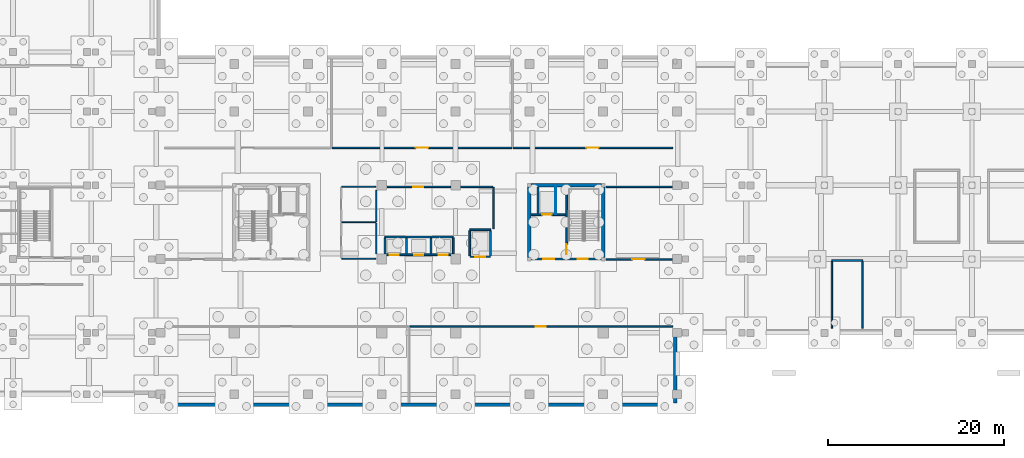
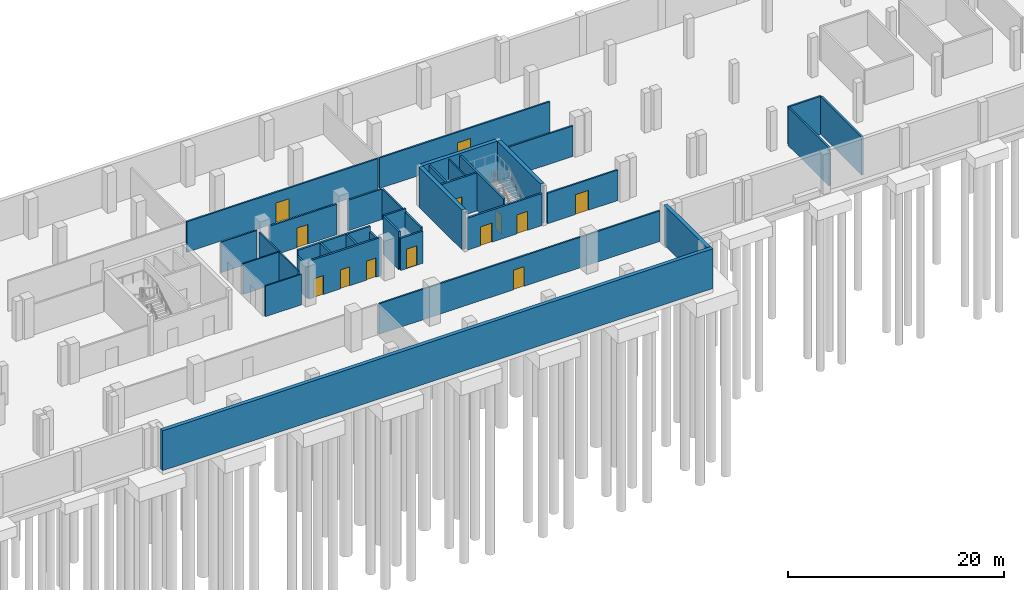
# One storey, part 12 of 17: 36 walls, 13 doors, 13 openings.
"""IFC4 building model written with IfcOpenShell, lengths in metres."""

from ifc_helpers import new_model, si_unit, direction, frame, frame_2d, origin, place, context, subcontext, project, spatial, rectangle, extrude, material, layer, layer_set, type_object, element, fill, save


model = new_model("IFC4")

# Units and contexts
model_context = context("Model", 3, precision=1e-05, world=origin(), true_north=direction((0.0, 1.0)))
body_context = subcontext(model_context, "Body", "Model", "MODEL_VIEW")
ifc_project = project(units=[si_unit("LENGTHUNIT", "METRE"), si_unit("AREAUNIT", "SQUARE_METRE"), si_unit("VOLUMEUNIT", "CUBIC_METRE"), si_unit("PLANEANGLEUNIT", "RADIAN"), si_unit("MASSUNIT", "GRAM", prefix="KILO")], contexts=[model_context])

# Site, building, storey
site_placement = place(None, origin())
site = spatial("IfcSite", under=ifc_project, at=site_placement, CompositionType="ELEMENT")
building_placement = place(site_placement, origin())
building = spatial("IfcBuilding", under=site, at=building_placement, Name="Telukmera Botanical Conservatory", CompositionType="ELEMENT")
storey_placement = place(building_placement, frame((0.0, 0.0, -4.5)))
storey = spatial("IfcBuildingStorey", under=building, at=storey_placement, Name="B1", CompositionType="ELEMENT", Elevation=-4.5)

# Wall, openings, doors
ifc_material_1 = material(Name="Concrete C40/50", Category="concrete")
ifc_layer_1 = layer(ifc_material_1, 0.199951171875)
ifc_layer_set_1 = layer_set([ifc_layer_1], Name="Concrete C40/50")
wall_type_1 = type_object("IfcWallType", Name="WT-CORE-200", PredefinedType="SOLIDWALL", material=ifc_layer_set_1)
wall_1_placement = place(storey_placement, frame((92.60009765625, 26.0, 0.0), z_axis=(0.0, 0.0, 1.0), x_axis=(1.0, 0.0, 0.0)))
wall_1 = element("IfcWall", 1, at=wall_1_placement, inside=storey, type_object=wall_type_1, Name="B1 Core C2 South Fire Wall", PredefinedType="SOLIDWALL", context=body_context, shape_type="SweptSolid", body=[
    extrude(rectangle(XDim=8.0, YDim=0.199951171875, at=frame_2d((4.0, 0.0))), origin(), (0.0, 0.0, 1.0), 3.6298828125),
])
opening_1_placement = place(wall_1_placement, frame((1.39990234375, 0.0, 0.0)))
opening_1 = element("IfcOpeningElement", 2, at=opening_1_placement, cuts=wall_1, Name="Opening FD60C", PredefinedType="OPENING", context=body_context, shape_type="SweptSolid", body=[
    extrude(rectangle(XDim=1.219970703125, YDim=2.14990234375, at=frame_2d((0.60986328125, 1.074951171875))), frame((0.0, 0.10986328125, 0.0), z_axis=(0.0, -1.0, 0.0), x_axis=(1.0, 0.0, 0.0)), (0.0, 0.0, 1.0), 0.219970703125),
])
opening_2_placement = place(wall_1_placement, frame((5.300048828125, 0.0, 0.0)))
opening_2 = element("IfcOpeningElement", 3, at=opening_2_placement, cuts=wall_1, Name="Opening FD60A", PredefinedType="OPENING", context=body_context, shape_type="SweptSolid", body=[
    extrude(rectangle(XDim=1.14990234375, YDim=2.14990234375, at=frame_2d((0.574951171875, 1.074951171875))), frame((0.0, 0.10986328125, 0.0), z_axis=(0.0, -1.0, 0.0), x_axis=(1.0, 0.0, 0.0)), (0.0, 0.0, 1.0), 0.219970703125),
])
ifc_material_2 = material(Name="Hardwood fire door", Category="wood")
door_type_1 = type_object("IfcDoorType", Name="DT-FD60-01", OperationType="NOTDEFINED", PredefinedType="DOOR", material=ifc_material_2)
door_1_placement = place(opening_2_placement, origin())
door_1 = element("IfcDoor", 4, at=door_1_placement, inside=storey, type_object=door_type_1, Name="B1 Stair ST2 Escape Door", OperationType="SINGLE_SWING_LEFT", OverallHeight=2.14990234375, OverallWidth=1.14990234375, PredefinedType="DOOR", context=body_context, shape_type="SweptSolid", body=[
    extrude(rectangle(XDim=1.14990234375, YDim=2.14990234375, at=frame_2d((0.574951171875, 1.074951171875))), frame((0.0, 0.02490234375, 0.0), z_axis=(0.0, -1.0, 0.0), x_axis=(1.0, 0.0, 0.0)), (0.0, 0.0, 1.0), 0.050048828125),
])
fill(opening_2, door_1)
door_type_2 = type_object("IfcDoorType", Name="DT-FD60-03", OperationType="NOTDEFINED", PredefinedType="DOOR", material=ifc_material_2)
door_2_placement = place(opening_1_placement, origin())
door_2 = element("IfcDoor", 5, at=door_2_placement, inside=storey, type_object=door_type_2, Name="B1 Firefighting Lobby C2 Door", OperationType="SINGLE_SWING_RIGHT", OverallHeight=2.14990234375, OverallWidth=1.219970703125, PredefinedType="DOOR", context=body_context, shape_type="SweptSolid", body=[
    extrude(rectangle(XDim=1.219970703125, YDim=2.14990234375, at=frame_2d((0.60986328125, 1.074951171875))), frame((0.0, 0.02490234375, 0.0), z_axis=(0.0, -1.0, 0.0), x_axis=(1.0, 0.0, 0.0)), (0.0, 0.0, 1.0), 0.050048828125),
])
fill(opening_1, door_2)

# Wall, opening, door
wall_2_placement = place(storey_placement, frame((96.64990234375, 26.10009765625, 0.0), z_axis=(0.0, 0.0, 1.0), x_axis=(0.0, 1.0, 0.0)))
wall_2 = element("IfcWall", 6, at=wall_2_placement, inside=storey, type_object=wall_type_1, Name="B1 Core C2 Stair-Lobby Wall", PredefinedType="SOLIDWALL", context=body_context, shape_type="SweptSolid", body=[
    extrude(rectangle(XDim=8.099853515625, YDim=0.199951171875, at=frame_2d((4.0498046875, 0.0))), origin(), (0.0, 0.0, 1.0), 4.300048828125),
])
opening_3_placement = place(wall_2_placement, frame((0.449951171875, 0.0, 0.0)))
opening_3 = element("IfcOpeningElement", 7, at=opening_3_placement, cuts=wall_2, Name="Opening FD60B", PredefinedType="OPENING", context=body_context, shape_type="SweptSolid", body=[
    extrude(rectangle(XDim=1.1201171875, YDim=2.14990234375, at=frame_2d((0.56005859375, 1.074951171875))), frame((0.0, 0.10986328125, 0.0), z_axis=(0.0, -1.0, 0.0), x_axis=(1.0, 0.0, 0.0)), (0.0, 0.0, 1.0), 0.219970703125),
])
door_type_3 = type_object("IfcDoorType", Name="DT-FD60-02", OperationType="NOTDEFINED", PredefinedType="DOOR", material=ifc_material_2)
door_3_placement = place(opening_3_placement, frame((1.1201171875, 0.0, 0.0), z_axis=(0.0, 0.0, 1.0), x_axis=(-1.0, 0.0, 0.0)))
door_3 = element("IfcDoor", 8, at=door_3_placement, inside=storey, type_object=door_type_3, Name="B1 Firefighting Lobby C2 to ST2 Door", OperationType="SINGLE_SWING_RIGHT", OverallHeight=2.14990234375, OverallWidth=1.1201171875, PredefinedType="DOOR", context=body_context, shape_type="SweptSolid", body=[
    extrude(rectangle(XDim=1.1201171875, YDim=2.14990234375, at=frame_2d((0.56005859375, 1.074951171875))), frame((0.0, 0.02490234375, 0.0), z_axis=(0.0, -1.0, 0.0), x_axis=(1.0, 0.0, 0.0)), (0.0, 0.0, 1.0), 0.050048828125),
])
fill(opening_3, door_3)

wall_3_placement = place(storey_placement, frame((92.60009765625, 31.050048828125, 0.0), z_axis=(0.0, 0.0, 1.0), x_axis=(1.0, 0.0, 0.0)))
wall_3 = element("IfcWall", 9, at=wall_3_placement, inside=storey, type_object=wall_type_1, Name="B1 Fire Lift FL2 Shaft Front Wall", PredefinedType="SOLIDWALL", context=body_context, shape_type="SweptSolid", body=[
    extrude(rectangle(XDim=3.949951171875, YDim=0.199951171875, at=frame_2d((1.97509765625, 0.0))), origin(), (0.0, 0.0, 1.0), 4.300048828125),
])
opening_4_placement = place(wall_3_placement, frame((1.25, 0.0, 0.0)))
opening_4 = element("IfcOpeningElement", 10, at=opening_4_placement, cuts=wall_3, Name="Opening LD01", PredefinedType="OPENING", context=body_context, shape_type="SweptSolid", body=[
    extrude(rectangle(XDim=1.10009765625, YDim=2.14990234375, at=frame_2d((0.550048828125, 1.074951171875))), frame((0.0, 0.10986328125, 0.0), z_axis=(0.0, -1.0, 0.0), x_axis=(1.0, 0.0, 0.0)), (0.0, 0.0, 1.0), 0.219970703125),
])
ifc_material_3 = material(Name="Stainless steel 316", Category="steel")
door_type_4 = type_object("IfcDoorType", Name="DT-LD01", OperationType="SLIDING_TO_LEFT", PredefinedType="DOOR", material=ifc_material_3)
door_4_placement = place(opening_4_placement, frame((1.10009765625, 0.0, 0.0), z_axis=(0.0, 0.0, 1.0), x_axis=(-1.0, 0.0, 0.0)))
door_4 = element("IfcDoor", 11, at=door_4_placement, inside=storey, type_object=door_type_4, Name="B1 Lift Landing Door FL2", OperationType="SLIDING_TO_LEFT", OverallHeight=2.14990234375, OverallWidth=1.10009765625, PredefinedType="DOOR", context=body_context, shape_type="SweptSolid", body=[
    extrude(rectangle(XDim=1.10009765625, YDim=2.14990234375, at=frame_2d((0.550048828125, 1.074951171875))), frame((0.0, 0.02490234375, 0.0), z_axis=(0.0, -1.0, 0.0), x_axis=(1.0, 0.0, 0.0)), (0.0, 0.0, 1.0), 0.050048828125),
])
fill(opening_4, door_4)

# Wall
wall_4_placement = place(storey_placement, frame((93.3798828125, 31.14990234375, 0.0), z_axis=(0.0, 0.0, 1.0), x_axis=(0.0, 1.0, 0.0)))
element("IfcWall", 12, at=wall_4_placement, inside=storey, type_object=wall_type_1, Name="B1 Fire Lift FL2 Shaft West Wall", PredefinedType="SOLIDWALL", context=body_context, shape_type="SweptSolid", body=[
    extrude(rectangle(XDim=3.050048828125, YDim=0.199951171875, at=frame_2d((1.52490234375, 0.0))), origin(), (0.0, 0.0, 1.0), 4.300048828125),
])

# Wall, openings, doors
wall_5_placement = place(storey_placement, frame((75.949951171875, 26.47998046875, 0.0), z_axis=(0.0, 0.0, 1.0), x_axis=(1.0, 0.0, 0.0)))
wall_5 = element("IfcWall", 13, at=wall_5_placement, inside=storey, type_object=wall_type_1, Name="B1 Passenger Lift Bank Front Wall", PredefinedType="SOLIDWALL", context=body_context, shape_type="SweptSolid", body=[
    extrude(rectangle(XDim=7.77001953125, YDim=0.199951171875, at=frame_2d((3.885009765625, 0.0))), origin(), (0.0, 0.0, 1.0), 4.300048828125),
])
opening_5_placement = place(wall_5_placement, frame((0.550048828125, 0.0, 0.0)))
opening_5 = element("IfcOpeningElement", 14, at=opening_5_placement, cuts=wall_5, Name="Opening LD03", PredefinedType="OPENING", context=body_context, shape_type="SweptSolid", body=[
    extrude(rectangle(XDim=1.0, YDim=2.14990234375, at=frame_2d((0.5, 1.074951171875))), frame((0.0, 0.10986328125, 0.0), z_axis=(0.0, -1.0, 0.0), x_axis=(1.0, 0.0, 0.0)), (0.0, 0.0, 1.0), 0.219970703125),
])
opening_6_placement = place(wall_5_placement, frame((3.35009765625, 0.0, 0.0)))
opening_6 = element("IfcOpeningElement", 15, at=opening_6_placement, cuts=wall_5, Name="Opening LD03", PredefinedType="OPENING", context=body_context, shape_type="SweptSolid", body=[
    extrude(rectangle(XDim=1.0, YDim=2.14990234375, at=frame_2d((0.5, 1.074951171875))), frame((0.0, 0.10986328125, 0.0), z_axis=(0.0, -1.0, 0.0), x_axis=(1.0, 0.0, 0.0)), (0.0, 0.0, 1.0), 0.219970703125),
])
opening_7_placement = place(wall_5_placement, frame((6.14990234375, 0.0, 0.0)))
opening_7 = element("IfcOpeningElement", 16, at=opening_7_placement, cuts=wall_5, Name="Opening LD03", PredefinedType="OPENING", context=body_context, shape_type="SweptSolid", body=[
    extrude(rectangle(XDim=1.0, YDim=2.14990234375, at=frame_2d((0.5, 1.074951171875))), frame((0.0, 0.10986328125, 0.0), z_axis=(0.0, -1.0, 0.0), x_axis=(1.0, 0.0, 0.0)), (0.0, 0.0, 1.0), 0.219970703125),
])
door_type_5 = type_object("IfcDoorType", Name="DT-LD03", OperationType="SLIDING_TO_LEFT", PredefinedType="DOOR", material=ifc_material_3)
door_5_placement = place(opening_5_placement, frame((1.0, 0.0, 0.0), z_axis=(0.0, 0.0, 1.0), x_axis=(-1.0, 0.0, 0.0)))
door_5 = element("IfcDoor", 17, at=door_5_placement, inside=storey, type_object=door_type_5, Name="B1 Lift Landing Door PL1", OperationType="SLIDING_TO_LEFT", OverallHeight=2.14990234375, OverallWidth=1.0, PredefinedType="DOOR", context=body_context, shape_type="SweptSolid", body=[
    extrude(rectangle(XDim=1.0, YDim=2.14990234375, at=frame_2d((0.5, 1.074951171875))), frame((0.0, 0.02490234375, 0.0), z_axis=(0.0, -1.0, 0.0), x_axis=(1.0, 0.0, 0.0)), (0.0, 0.0, 1.0), 0.050048828125),
])
fill(opening_5, door_5)
door_6_placement = place(opening_6_placement, frame((1.0, 0.0, 0.0), z_axis=(0.0, 0.0, 1.0), x_axis=(-1.0, 0.0, 0.0)))
door_6 = element("IfcDoor", 18, at=door_6_placement, inside=storey, type_object=door_type_5, Name="B1 Lift Landing Door PL2", OperationType="SLIDING_TO_LEFT", OverallHeight=2.14990234375, OverallWidth=1.0, PredefinedType="DOOR", context=body_context, shape_type="SweptSolid", body=[
    extrude(rectangle(XDim=1.0, YDim=2.14990234375, at=frame_2d((0.5, 1.074951171875))), frame((0.0, 0.02490234375, 0.0), z_axis=(0.0, -1.0, 0.0), x_axis=(1.0, 0.0, 0.0)), (0.0, 0.0, 1.0), 0.050048828125),
])
fill(opening_6, door_6)
door_7_placement = place(opening_7_placement, frame((1.0, 0.0, 0.0), z_axis=(0.0, 0.0, 1.0), x_axis=(-1.0, 0.0, 0.0)))
door_7 = element("IfcDoor", 19, at=door_7_placement, inside=storey, type_object=door_type_5, Name="B1 Lift Landing Door PL3", OperationType="SLIDING_TO_LEFT", OverallHeight=2.14990234375, OverallWidth=1.0, PredefinedType="DOOR", context=body_context, shape_type="SweptSolid", body=[
    extrude(rectangle(XDim=1.0, YDim=2.14990234375, at=frame_2d((0.5, 1.074951171875))), frame((0.0, 0.02490234375, 0.0), z_axis=(0.0, -1.0, 0.0), x_axis=(1.0, 0.0, 0.0)), (0.0, 0.0, 1.0), 0.050048828125),
])
fill(opening_7, door_7)

# Walls
wall_6_placement = place(storey_placement, frame((75.949951171875, 28.52001953125, 0.0), z_axis=(0.0, 0.0, 1.0), x_axis=(1.0, 0.0, 0.0)))
element("IfcWall", 20, at=wall_6_placement, inside=storey, type_object=wall_type_1, Name="B1 Passenger Lift Bank Rear Wall", PredefinedType="SOLIDWALL", context=body_context, shape_type="SweptSolid", body=[
    extrude(rectangle(XDim=7.77001953125, YDim=0.199951171875, at=frame_2d((3.885009765625, 0.0))), origin(), (0.0, 0.0, 1.0), 4.300048828125),
])
wall_7_placement = place(storey_placement, frame((75.949951171875, 26.580078125, 0.0), z_axis=(0.0, 0.0, 1.0), x_axis=(0.0, 1.0, 0.0)))
element("IfcWall", 21, at=wall_7_placement, inside=storey, type_object=wall_type_1, Name="B1 Passenger Lift Shaft Wall 1", PredefinedType="SOLIDWALL", context=body_context, shape_type="SweptSolid", body=[
    extrude(rectangle(XDim=1.83984375, YDim=0.199951171875, at=frame_2d((0.919921875, 0.0))), origin(), (0.0, 0.0, 1.0), 3.679931640625),
])
for number, where, z_axis, x_axis, name in (
    (22, (78.39990234375, 26.580078125, 0.0), (0.0, 0.0, 1.0), (0.0, 1.0, 0.0), "B1 Passenger Lift Shaft Wall 2"),
    (23, (81.199951171875, 26.580078125, 0.0), (0.0, 0.0, 1.0), (0.0, 1.0, 0.0), "B1 Passenger Lift Shaft Wall 3"),
):
    element("IfcWall", number, at=place(storey_placement, frame(where, z_axis=z_axis, x_axis=x_axis)), inside=storey, type_object=wall_type_1, Name=name, PredefinedType="SOLIDWALL", context=body_context, shape_type="SweptSolid", body=[
        extrude(rectangle(XDim=1.83984375, YDim=0.199951171875, at=frame_2d((0.919921875, 0.0))), origin(), (0.0, 0.0, 1.0), 4.300048828125),
    ])
wall_8_placement = place(storey_placement, frame((83.719970703125, 26.580078125, 0.0), z_axis=(0.0, 0.0, 1.0), x_axis=(0.0, 1.0, 0.0)))
element("IfcWall", 24, at=wall_8_placement, inside=storey, type_object=wall_type_1, Name="B1 Passenger Lift Shaft Wall 4", PredefinedType="SOLIDWALL", context=body_context, shape_type="SweptSolid", body=[
    extrude(rectangle(XDim=1.83984375, YDim=0.199951171875, at=frame_2d((0.919921875, 0.0))), origin(), (0.0, 0.0, 1.0), 3.679931640625),
])

# Wall, opening, door
wall_9_placement = place(storey_placement, frame((85.6201171875, 26.25, 0.0), z_axis=(0.0, 0.0, 1.0), x_axis=(1.0, 0.0, 0.0)))
wall_9 = element("IfcWall", 25, at=wall_9_placement, inside=storey, type_object=wall_type_1, Name="B1 Goods Lift GL1 Front Wall", PredefinedType="SOLIDWALL", context=body_context, shape_type="SweptSolid", body=[
    extrude(rectangle(XDim=2.35986328125, YDim=0.199951171875, at=frame_2d((1.179931640625, 0.0))), origin(), (0.0, 0.0, 1.0), 3.6298828125),
])
opening_8_placement = place(wall_9_placement, frame((0.60498046875, 0.0, 0.0)))
opening_8 = element("IfcOpeningElement", 26, at=opening_8_placement, cuts=wall_9, Name="Opening LD02", PredefinedType="OPENING", context=body_context, shape_type="SweptSolid", body=[
    extrude(rectangle(XDim=1.14990234375, YDim=2.199951171875, at=frame_2d((0.574951171875, 1.10009765625))), frame((0.0, 0.10986328125, 0.0), z_axis=(0.0, -1.0, 0.0), x_axis=(1.0, 0.0, 0.0)), (0.0, 0.0, 1.0), 0.219970703125),
])
door_type_6 = type_object("IfcDoorType", Name="DT-LD02", OperationType="SLIDING_TO_LEFT", PredefinedType="DOOR", material=ifc_material_3)
door_8_placement = place(opening_8_placement, frame((1.14990234375, 0.0, 0.0), z_axis=(0.0, 0.0, 1.0), x_axis=(-1.0, 0.0, 0.0)))
door_8 = element("IfcDoor", 27, at=door_8_placement, inside=storey, type_object=door_type_6, Name="B1 Lift Landing Door GL1", OperationType="SLIDING_TO_LEFT", OverallHeight=2.199951171875, OverallWidth=1.14990234375, PredefinedType="DOOR", context=body_context, shape_type="SweptSolid", body=[
    extrude(rectangle(XDim=1.14990234375, YDim=2.199951171875, at=frame_2d((0.574951171875, 1.10009765625))), frame((0.0, 0.02490234375, 0.0), z_axis=(0.0, -1.0, 0.0), x_axis=(1.0, 0.0, 0.0)), (0.0, 0.0, 1.0), 0.050048828125),
])
fill(opening_8, door_8)

# Walls
wall_10_placement = place(storey_placement, frame((85.6201171875, 29.35009765625, 0.0), z_axis=(0.0, 0.0, 1.0), x_axis=(1.0, 0.0, 0.0)))
element("IfcWall", 28, at=wall_10_placement, inside=storey, type_object=wall_type_1, Name="B1 Goods Lift GL1 Rear Wall", PredefinedType="SOLIDWALL", context=body_context, shape_type="SweptSolid", body=[
    extrude(rectangle(XDim=2.35986328125, YDim=0.199951171875, at=frame_2d((1.179931640625, 0.0))), origin(), (0.0, 0.0, 1.0), 4.300048828125),
])
wall_11_placement = place(storey_placement, frame((85.6201171875, 26.35009765625, 0.0), z_axis=(0.0, 0.0, 1.0), x_axis=(0.0, 1.0, 0.0)))
element("IfcWall", 29, at=wall_11_placement, inside=storey, type_object=wall_type_1, Name="B1 Goods Lift GL1 Side Wall 1", PredefinedType="SOLIDWALL", context=body_context, shape_type="SweptSolid", body=[
    extrude(rectangle(XDim=2.89990234375, YDim=0.199951171875, at=frame_2d((1.449951171875, 0.0))), origin(), (0.0, 0.0, 1.0), 4.300048828125),
])
wall_12_placement = place(storey_placement, frame((87.97998046875, 26.35009765625, 0.0), z_axis=(0.0, 0.0, 1.0), x_axis=(0.0, 1.0, 0.0)))
element("IfcWall", 30, at=wall_12_placement, inside=storey, type_object=wall_type_1, Name="B1 Goods Lift GL1 Side Wall 2", PredefinedType="SOLIDWALL", context=body_context, shape_type="SweptSolid", body=[
    extrude(rectangle(XDim=2.89990234375, YDim=0.199951171875, at=frame_2d((1.449951171875, 0.0))), origin(), (0.0, 0.0, 1.0), 3.929931640625),
])
ifc_material_4 = material(Name="Gypsum acoustic stud partition")
ifc_layer_2 = layer(ifc_material_4, 0.159912109375)
ifc_layer_set_2 = layer_set([ifc_layer_2], Name="Gypsum acoustic stud partition")
wall_type_2 = type_object("IfcWallType", Name="WT-LAB-160", PredefinedType="PARTITIONING", material=ifc_layer_set_2)
wall_13_placement = place(storey_placement, frame((88.324951171875, 29.449951171875, 0.0), z_axis=(0.0, 0.0, 1.0), x_axis=(0.0, 1.0, 0.0)))
element("IfcWall", 31, at=wall_13_placement, inside=storey, type_object=wall_type_2, Name="B1 Interior Partition 20", PredefinedType="PARTITIONING", context=body_context, shape_type="SweptSolid", body=[
    extrude(rectangle(XDim=4.699951171875, YDim=0.159912109375, at=frame_2d((2.35009765625, 0.0))), origin(), (0.0, 0.0, 1.0), 3.449951171875),
])

# Wall, opening, door
ifc_material_5 = material(Name="Blockwork masonry", Category="masonry")
ifc_layer_3 = layer(ifc_material_5, 0.169921875)
ifc_layer_set_3 = layer_set([ifc_layer_3], Name="Blockwork masonry")
wall_type_3 = type_object("IfcWallType", Name="WT-PLANT-170", PredefinedType="PARTITIONING", material=ifc_layer_set_3)
wall_14_placement = place(storey_placement, frame((76.199951171875, 34.22509765625, 0.0), z_axis=(0.0, 0.0, 1.0), x_axis=(1.0, 0.0, 0.0)))
wall_14 = element("IfcWall", 32, at=wall_14_placement, inside=storey, type_object=wall_type_3, Name="B1 Interior Partition 21", PredefinedType="PARTITIONING", context=body_context, shape_type="SweptSolid", body=[
    extrude(rectangle(XDim=7.219970703125, YDim=0.169921875, at=frame_2d((3.60986328125, 0.0))), origin(), (0.0, 0.0, 1.0), 3.449951171875),
])
opening_9_placement = place(wall_14_placement, frame((2.964599609375, 0.0, 0.0)))
opening_9 = element("IfcOpeningElement", 33, at=opening_9_placement, cuts=wall_14, Name="Opening ID10", PredefinedType="OPENING", context=body_context, shape_type="SweptSolid", body=[
    extrude(rectangle(XDim=1.139892578125, YDim=2.219970703125, at=frame_2d((0.56982421875, 1.10986328125))), frame((0.0, 0.094970703125, 0.0), z_axis=(0.0, -1.0, 0.0), x_axis=(1.0, 0.0, 0.0)), (0.0, 0.0, 1.0), 0.18994140625),
])
ifc_material_6 = material(Name="Sealed steel herbarium door", Category="steel")
door_type_7 = type_object("IfcDoorType", Name="DT-HERB-114", OperationType="NOTDEFINED", PredefinedType="DOOR", material=ifc_material_6)
door_9_placement = place(opening_9_placement, frame((1.139892578125, 0.0, 0.0), z_axis=(0.0, 0.0, 1.0), x_axis=(-1.0, 0.0, 0.0)))
door_9 = element("IfcDoor", 34, at=door_9_placement, inside=storey, type_object=door_type_7, Name="B1 Seed Drying Preparation Room Door", OperationType="SINGLE_SWING_RIGHT", OverallHeight=2.219970703125, OverallWidth=1.139892578125, PredefinedType="DOOR", context=body_context, shape_type="SweptSolid", body=[
    extrude(rectangle(XDim=1.139892578125, YDim=2.219970703125, at=frame_2d((0.56982421875, 1.10986328125))), frame((0.0, 0.02490234375, 0.0), z_axis=(0.0, -1.0, 0.0), x_axis=(1.0, 0.0, 0.0)), (0.0, 0.0, 1.0), 0.050048828125),
])
fill(opening_9, door_9)

# Wall
wall_15_placement = place(storey_placement, frame((84.580078125, 34.22509765625, 0.0), z_axis=(0.0, 0.0, 1.0), x_axis=(1.0, 0.0, 0.0)))
element("IfcWall", 35, at=wall_15_placement, inside=storey, type_object=wall_type_3, Name="B1 Interior Partition 22", PredefinedType="PARTITIONING", context=body_context, shape_type="SweptSolid", body=[
    extrude(rectangle(XDim=3.655029296875, YDim=0.169921875, at=frame_2d((1.82763671875, 0.0))), origin(), (0.0, 0.0, 1.0), 3.449951171875),
])

# Wall, opening, door
wall_16_placement = place(storey_placement, frame((101.14990234375, 25.97509765625, 0.0), z_axis=(0.0, 0.0, 1.0), x_axis=(1.0, 0.0, 0.0)))
wall_16 = element("IfcWall", 36, at=wall_16_placement, inside=storey, type_object=wall_type_3, Name="B1 Interior Partition 25", PredefinedType="PARTITIONING", context=body_context, shape_type="SweptSolid", body=[
    extrude(rectangle(XDim=7.52001953125, YDim=0.169921875, at=frame_2d((3.760009765625, 0.0))), origin(), (0.0, 0.0, 1.0), 3.449951171875),
])
opening_10_placement = place(wall_16_placement, frame((2.984130859375, 0.0, 0.0)))
opening_10 = element("IfcOpeningElement", 37, at=opening_10_placement, cuts=wall_16, Name="Opening ID05", PredefinedType="OPENING", context=body_context, shape_type="SweptSolid", body=[
    extrude(rectangle(XDim=1.39990234375, YDim=2.25, at=frame_2d((0.699951171875, 1.125))), frame((0.0, 0.094970703125, 0.0), z_axis=(0.0, -1.0, 0.0), x_axis=(1.0, 0.0, 0.0)), (0.0, 0.0, 1.0), 0.18994140625),
])
ifc_material_7 = material(Name="Louvred steel plant double door", Category="steel")
door_type_8 = type_object("IfcDoorType", Name="DT-PLANT-140", OperationType="NOTDEFINED", PredefinedType="DOOR", material=ifc_material_7)
door_10_placement = place(opening_10_placement, origin())
door_10 = element("IfcDoor", 38, at=door_10_placement, inside=storey, type_object=door_type_8, Name="B1 Electrical Substation Door", OperationType="SINGLE_SWING_RIGHT", OverallHeight=2.25, OverallWidth=1.39990234375, PredefinedType="DOOR", context=body_context, shape_type="SweptSolid", body=[
    extrude(rectangle(XDim=1.39990234375, YDim=2.25, at=frame_2d((0.699951171875, 1.125))), frame((0.0, 0.02490234375, 0.0), z_axis=(0.0, -1.0, 0.0), x_axis=(1.0, 0.0, 0.0)), (0.0, 0.0, 1.0), 0.050048828125),
])
fill(opening_10, door_10)

# Wall
wall_17_placement = place(storey_placement, frame((101.14990234375, 34.22509765625, 0.0), z_axis=(0.0, 0.0, 1.0), x_axis=(1.0, 0.0, 0.0)))
element("IfcWall", 39, at=wall_17_placement, inside=storey, type_object=wall_type_3, Name="B1 Interior Partition 26", PredefinedType="PARTITIONING", context=body_context, shape_type="SweptSolid", body=[
    extrude(rectangle(XDim=7.52001953125, YDim=0.169921875, at=frame_2d((3.760009765625, 0.0))), origin(), (0.0, 0.0, 1.0), 3.449951171875),
])

# Wall, opening, door
wall_18_placement = place(storey_placement, frame((78.75, 18.324951171875, 0.0), z_axis=(0.0, 0.0, 1.0), x_axis=(1.0, 0.0, 0.0)))
wall_18 = element("IfcWall", 40, at=wall_18_placement, inside=storey, type_object=wall_type_3, Name="B1 Interior Partition 28", PredefinedType="PARTITIONING", context=body_context, shape_type="SweptSolid", body=[
    extrude(rectangle(XDim=30.0, YDim=0.169921875, at=frame_2d((15.0, 0.0))), origin(), (0.0, 0.0, 1.0), 3.449951171875),
])
opening_11_placement = place(wall_18_placement, frame((14.35498046875, 0.0, 0.0)))
opening_11 = element("IfcOpeningElement", 41, at=opening_11_placement, cuts=wall_18, Name="Opening ID10", PredefinedType="OPENING", context=body_context, shape_type="SweptSolid", body=[
    extrude(rectangle(XDim=1.139892578125, YDim=2.219970703125, at=frame_2d((0.56982421875, 1.10986328125))), frame((0.0, 0.094970703125, 0.0), z_axis=(0.0, -1.0, 0.0), x_axis=(1.0, 0.0, 0.0)), (0.0, 0.0, 1.0), 0.18994140625),
])
door_11_placement = place(opening_11_placement, frame((1.139892578125, 0.0, 0.0), z_axis=(0.0, 0.0, 1.0), x_axis=(-1.0, 0.0, 0.0)))
door_11 = element("IfcDoor", 42, at=door_11_placement, inside=storey, type_object=door_type_7, Name="B1 Pest Quarantine Blast Freezer Door", OperationType="SINGLE_SWING_RIGHT", OverallHeight=2.219970703125, OverallWidth=1.139892578125, PredefinedType="DOOR", context=body_context, shape_type="SweptSolid", body=[
    extrude(rectangle(XDim=1.139892578125, YDim=2.219970703125, at=frame_2d((0.56982421875, 1.10986328125))), frame((0.0, 0.02490234375, 0.0), z_axis=(0.0, -1.0, 0.0), x_axis=(1.0, 0.0, 0.0)), (0.0, 0.0, 1.0), 0.050048828125),
])
fill(opening_11, door_11)

wall_19_placement = place(storey_placement, frame((69.949951171875, 38.675048828125, 0.0), z_axis=(0.0, 0.0, 1.0), x_axis=(1.0, 0.0, 0.0)))
wall_19 = element("IfcWall", 43, at=wall_19_placement, inside=storey, type_object=wall_type_3, Name="B1 Interior Partition 31", PredefinedType="PARTITIONING", context=body_context, shape_type="SweptSolid", body=[
    extrude(rectangle(XDim=20.449951171875, YDim=0.169921875, at=frame_2d((10.22509765625, 0.0))), origin(), (0.0, 0.0, 1.0), 3.449951171875),
])
opening_12_placement = place(wall_19_placement, frame((9.52490234375, 0.0, 0.0)))
opening_12 = element("IfcOpeningElement", 44, at=opening_12_placement, cuts=wall_19, Name="Opening ID05", PredefinedType="OPENING", context=body_context, shape_type="SweptSolid", body=[
    extrude(rectangle(XDim=1.39990234375, YDim=2.25, at=frame_2d((0.699951171875, 1.125))), frame((0.0, 0.094970703125, 0.0), z_axis=(0.0, -1.0, 0.0), x_axis=(1.0, 0.0, 0.0)), (0.0, 0.0, 1.0), 0.18994140625),
])
door_12_placement = place(opening_12_placement, origin())
door_12 = element("IfcDoor", 45, at=door_12_placement, inside=storey, type_object=door_type_8, Name="B1 Desiccant Dehumidification Plant Door", OperationType="SINGLE_SWING_RIGHT", OverallHeight=2.25, OverallWidth=1.39990234375, PredefinedType="DOOR", context=body_context, shape_type="SweptSolid", body=[
    extrude(rectangle(XDim=1.39990234375, YDim=2.25, at=frame_2d((0.699951171875, 1.125))), frame((0.0, 0.02490234375, 0.0), z_axis=(0.0, -1.0, 0.0), x_axis=(1.0, 0.0, 0.0)), (0.0, 0.0, 1.0), 0.050048828125),
])
fill(opening_12, door_12)

wall_20_placement = place(storey_placement, frame((90.550048828125, 38.675048828125, 0.0), z_axis=(0.0, 0.0, 1.0), x_axis=(1.0, 0.0, 0.0)))
wall_20 = element("IfcWall", 46, at=wall_20_placement, inside=storey, type_object=wall_type_3, Name="B1 Interior Partition 32", PredefinedType="PARTITIONING", context=body_context, shape_type="SweptSolid", body=[
    extrude(rectangle(XDim=18.199951171875, YDim=0.169921875, at=frame_2d((9.10009765625, 0.0))), origin(), (0.0, 0.0, 1.0), 3.449951171875),
])
opening_13_placement = place(wall_20_placement, frame((8.3251953125, 0.0, 0.0)))
opening_13 = element("IfcOpeningElement", 47, at=opening_13_placement, cuts=wall_20, Name="Opening ID05", PredefinedType="OPENING", context=body_context, shape_type="SweptSolid", body=[
    extrude(rectangle(XDim=1.39990234375, YDim=2.25, at=frame_2d((0.699951171875, 1.125))), frame((0.0, 0.094970703125, 0.0), z_axis=(0.0, -1.0, 0.0), x_axis=(1.0, 0.0, 0.0)), (0.0, 0.0, 1.0), 0.18994140625),
])
door_13_placement = place(opening_13_placement, origin())
door_13 = element("IfcDoor", 48, at=door_13_placement, inside=storey, type_object=door_type_8, Name="B1 Sprinkler and Wet Riser Pump Plant Door", OperationType="SINGLE_SWING_LEFT", OverallHeight=2.25, OverallWidth=1.39990234375, PredefinedType="DOOR", context=body_context, shape_type="SweptSolid", body=[
    extrude(rectangle(XDim=1.39990234375, YDim=2.25, at=frame_2d((0.699951171875, 1.125))), frame((0.0, 0.02490234375, 0.0), z_axis=(0.0, -1.0, 0.0), x_axis=(1.0, 0.0, 0.0)), (0.0, 0.0, 1.0), 0.050048828125),
])
fill(opening_13, door_13)

# Walls
ifc_material_8 = material(Name="Gypsum shaftwall liner")
ifc_layer_4 = layer(ifc_material_8, 0.110107421875)
ifc_layer_set_4 = layer_set([ifc_layer_4], Name="Gypsum shaftwall liner")
wall_type_4 = type_object("IfcWallType", Name="WT-RISER-110", PredefinedType="PARTITIONING", material=ifc_layer_set_4)
wall_21_placement = place(storey_placement, frame((95.419921875, 31.14990234375, 0.0), z_axis=(0.0, 0.0, 1.0), x_axis=(0.0, 1.0, 0.0)))
element("IfcWall", 49, at=wall_21_placement, inside=storey, type_object=wall_type_4, Name="B1 Wet Riser C2 Shaft Wall", PredefinedType="PARTITIONING", context=body_context, shape_type="SweptSolid", body=[
    extrude(rectangle(XDim=3.050048828125, YDim=0.110107421875, at=frame_2d((1.52490234375, 0.0))), origin(), (0.0, 0.0, 1.0), 4.300048828125),
])
ifc_layer_5 = layer(ifc_material_1, 0.18994140625)
ifc_layer_set_5 = layer_set([ifc_layer_5], Name="Concrete C40/50")
wall_type_5 = type_object("IfcWallType", Name="WT-STAIR-190", PredefinedType="SOLIDWALL", material=ifc_layer_set_5)
wall_22_placement = place(storey_placement, frame((126.85009765625, 25.840087890625, 0.0), z_axis=(0.0, 0.0, 1.0), x_axis=(1.0, 0.0, 0.0)))
element("IfcWall", 50, at=wall_22_placement, inside=storey, type_object=wall_type_5, Name="B1 Stair ST5 Substructure North Wall", PredefinedType="SOLIDWALL", context=body_context, shape_type="SweptSolid", body=[
    extrude(rectangle(XDim=3.5, YDim=0.18994140625, at=frame_2d((1.75, 0.0))), origin(), (0.0, 0.0, 1.0), 4.300048828125),
])
for number, where, z_axis, x_axis, name in (
    (51, (126.85009765625, 18.139892578125, 0.0), (0.0, 0.0, 1.0), (0.0, 1.0, 0.0), "B1 Stair ST5 Substructure W Wall"),
    (52, (130.35009765625, 18.139892578125, 0.0), (0.0, 0.0, 1.0), (0.0, 1.0, 0.0), "B1 Stair ST5 Substructure E Wall"),
):
    element("IfcWall", number, at=place(storey_placement, frame(where, z_axis=z_axis, x_axis=x_axis)), inside=storey, type_object=wall_type_5, Name=name, PredefinedType="SOLIDWALL", context=body_context, shape_type="SweptSolid", body=[
        extrude(rectangle(XDim=7.60009765625, YDim=0.18994140625, at=frame_2d((3.800048828125, 0.0))), origin(), (0.0, 0.0, 1.0), 4.300048828125),
    ])
ifc_material_9 = material(Name="Moisture-resistant blockwork", Category="masonry")
ifc_layer_6 = layer(ifc_material_9, 0.135009765625)
ifc_layer_set_6 = layer_set([ifc_layer_6], Name="Moisture-resistant blockwork")
wall_type_6 = type_object("IfcWallType", Name="WT-WC-135", PredefinedType="PARTITIONING", material=ifc_layer_set_6)
for number, where, z_axis, x_axis, name in (
    (53, (71.050048828125, 30.175048828125, 0.0), (0.0, 0.0, 1.0), (1.0, 0.0, 0.0), "B1 Interior Partition 17"),
    (54, (71.050048828125, 26.02490234375, 0.0), (0.0, 0.0, 1.0), (1.0, 0.0, 0.0), "B1 Interior Partition 18"),
    (55, (71.050048828125, 34.22509765625, 0.0), (0.0, 0.0, 1.0), (1.0, 0.0, 0.0), "B1 Interior Partition 19"),
):
    element("IfcWall", number, at=place(storey_placement, frame(where, z_axis=z_axis, x_axis=x_axis)), inside=storey, type_object=wall_type_6, Name=name, PredefinedType="PARTITIONING", context=body_context, shape_type="SweptSolid", body=[
        extrude(rectangle(XDim=3.849853515625, YDim=0.135009765625, at=frame_2d((1.9248046875, 0.0))), origin(), (0.0, 0.0, 1.0), 3.449951171875),
    ])
wall_23_placement = place(storey_placement, frame((74.967529296875, 26.580078125, 0.0), z_axis=(0.0, 0.0, 1.0), x_axis=(0.0, 1.0, 0.0)))
element("IfcWall", 56, at=wall_23_placement, inside=storey, type_object=wall_type_6, Name="B1 WC Enclosure Partition 03", PredefinedType="PARTITIONING", context=body_context, shape_type="SweptSolid", body=[
    extrude(rectangle(XDim=3.517333984375, YDim=0.135009765625, at=frame_2d((1.7587890625, 0.0))), origin(), (0.0, 0.0, 1.0), 3.449951171875),
])
wall_24_placement = place(storey_placement, frame((74.967529296875, 30.25244140625, 0.0), z_axis=(0.0, 0.0, 1.0), x_axis=(0.0, 1.0, 0.0)))
element("IfcWall", 57, at=wall_24_placement, inside=storey, type_object=wall_type_6, Name="B1 WC Enclosure Partition 04", PredefinedType="PARTITIONING", context=body_context, shape_type="SweptSolid", body=[
    extrude(rectangle(XDim=3.567626953125, YDim=0.135009765625, at=frame_2d((1.78369140625, 0.0))), origin(), (0.0, 0.0, 1.0), 3.449951171875),
])
ifc_material_10 = material(Name="Concrete C50/60", Category="concrete")
ifc_layer_7 = layer(ifc_material_10, 0.39990234375)
ifc_layer_set_7 = layer_set([ifc_layer_7], Name="Concrete C50/60")
wall_type_7 = type_object("IfcWallType", Name="Wall_CW1", PredefinedType="SHEAR", material=ifc_layer_set_7)
for number, where, z_axis, x_axis, name in (
    (58, (92.39990234375, 26.199951171875, 0.0), (0.0, 0.0, 1.0), (0.0, 1.0, 0.0), "Core C2 Shear Wall West B1"),
    (59, (100.800048828125, 26.199951171875, 0.0), (0.0, 0.0, 1.0), (0.0, 1.0, 0.0), "Core C2 Shear Wall East B1"),
    (60, (92.60009765625, 34.39990234375, 0.0), (0.0, 0.0, 1.0), (1.0, 0.0, 0.0), "Core C2 Shear Wall North B1"),
):
    element("IfcWall", number, at=place(storey_placement, frame(where, z_axis=z_axis, x_axis=x_axis)), inside=storey, type_object=wall_type_7, Name=name, PredefinedType="SHEAR", context=body_context, shape_type="SweptSolid", body=[
        extrude(rectangle(XDim=8.0, YDim=0.39990234375, at=frame_2d((4.0, 0.0))), origin(), (0.0, 0.0, 1.0), 4.5),
    ])
ifc_layer_8 = layer(ifc_material_1, 0.39990234375)
ifc_layer_set_8 = layer_set([ifc_layer_8], Name="Concrete C40/50")
wall_type_8 = type_object("IfcWallType", Name="Wall_RW1", PredefinedType="USERDEFINED", material=ifc_layer_set_8)
wall_25_placement = place(storey_placement, frame((50.39990234375, 9.39990234375, 0.0), z_axis=(0.0, 0.0, 1.0), x_axis=(1.0, 0.0, 0.0)))
element("IfcWall", 61, at=wall_25_placement, inside=storey, type_object=wall_type_8, Name="Basement Perimeter Retaining Wall RW1-03", ObjectType="RETAININGWALL", PredefinedType="USERDEFINED", context=body_context, shape_type="SweptSolid", body=[
    extrude(rectangle(XDim=58.800048828125, YDim=0.39990234375, at=frame_2d((29.39990234375, 0.0))), origin(), (0.0, 0.0, 1.0), 4.5),
])
wall_26_placement = place(storey_placement, frame((109.0, 9.60009765625, 0.0), z_axis=(0.0, 0.0, 1.0), x_axis=(0.0, 1.0, 0.0)))
element("IfcWall", 62, at=wall_26_placement, inside=storey, type_object=wall_type_8, Name="Basement Perimeter Retaining Wall RW1-04", ObjectType="RETAININGWALL", PredefinedType="USERDEFINED", context=body_context, shape_type="SweptSolid", body=[
    extrude(rectangle(XDim=8.0, YDim=0.39990234375, at=frame_2d((4.0, 0.0))), origin(), (0.0, 0.0, 1.0), 4.5),
])

save(model, "model.ifc")
